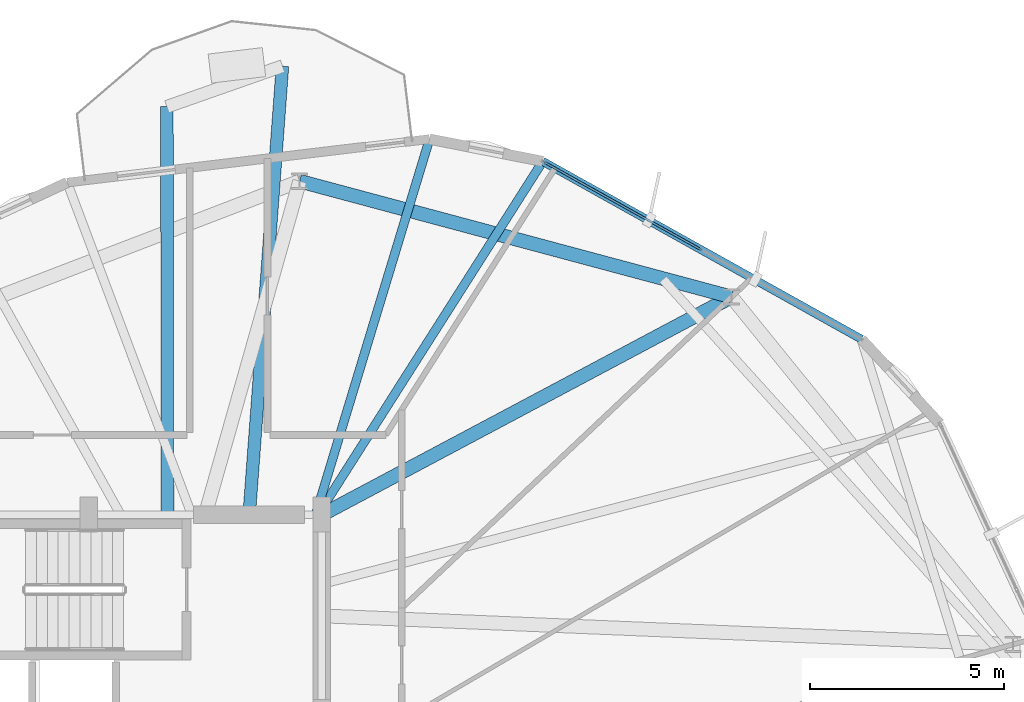
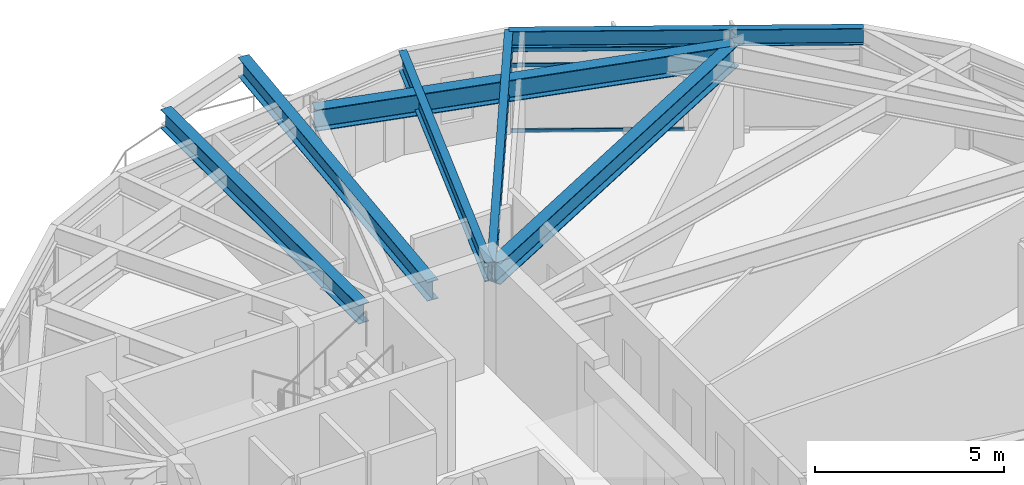
# One storey, part 14 of 25: 7 beams, 3 members, 1 element without a shape of its own.
"""IFC4 building model written with IfcOpenShell, lengths in metres."""

from ifc_helpers import new_model, si_unit, direction, frame, origin, origin_2d, place, context, subcontext, project, spatial, hollow_rectangle, i_section, extrude, material, layer, layer_set, material_profile, profile_set, type_object, element, aggregate, save


model = new_model("IFC4")

# Units and contexts
model_context = context("Model", 3, precision=1e-05, world=origin(), true_north=direction((0.0, 1.0)))
body_context = subcontext(model_context, "Body", "Model", "MODEL_VIEW")
ifc_project = project(units=[si_unit("LENGTHUNIT", "METRE"), si_unit("AREAUNIT", "SQUARE_METRE"), si_unit("VOLUMEUNIT", "CUBIC_METRE"), si_unit("PLANEANGLEUNIT", "RADIAN"), si_unit("MASSUNIT", "GRAM", prefix="KILO")], contexts=[model_context])

# Site, building, storey
site_placement = place(None, origin())
site = spatial("IfcSite", under=ifc_project, at=site_placement, CompositionType="ELEMENT")
building_placement = place(site_placement, origin())
building = spatial("IfcBuilding", under=site, at=building_placement, Name="Soratama Intermodal Tower", CompositionType="ELEMENT")
storey_placement = place(building_placement, frame((0.0, 0.0, 190.60009765625)))
storey = spatial("IfcBuildingStorey", under=building, at=storey_placement, Name="L47", CompositionType="ELEMENT", Elevation=190.60009765625)

# Beams
ifc_material_1 = material(Name="Structural steel ASTM A992 Grade 50", Category="steel")
ifc_material_profile_1 = material_profile(ifc_material_1, i_section(OverallWidth=0.324951171875, OverallDepth=0.615966796875, WebThickness=0.013916015625, FlangeThickness=0.021484375, FilletRadius=0.013916015625, at=origin_2d()), Name="W24X117")
ifc_profile_set_1 = profile_set([ifc_material_profile_1], Name="Structural steel ASTM A992 Grade 50")
beam_type_1 = type_object("IfcBeamType", Name="BM-CANT-W24X117", PredefinedType="BEAM", material=ifc_profile_set_1)
beam_1_placement = place(storey_placement, frame((42.73291015625, 35.0400390625, 2.991943359375), z_axis=(0.073934111903, 0.997263128315, 0.0), x_axis=(-0.997263128315, 0.073934111903, 0.0)))
element("IfcBeam", 1, at=beam_1_placement, inside=storey, type_object=beam_type_1, Name="BM-L47-CANT-2-1", PredefinedType="BEAM", context=body_context, shape_type="SweptSolid", body=[
    extrude(i_section(OverallWidth=0.324951171875, OverallDepth=0.615966796875, WebThickness=0.013916015625, FlangeThickness=0.021484375, FilletRadius=0.013916015625, at=origin_2d()), origin(), (0.0, 0.0, 1.0), 11.5244140625),
])
beam_2_placement = place(storey_placement, frame((40.62890625, 35.0400390625, 2.991943359375), z_axis=(-0.001425265498, 0.999998984309, 0.0), x_axis=(-0.999998984309, -0.001425265498, 0.0)))
element("IfcBeam", 2, at=beam_2_placement, inside=storey, type_object=beam_type_1, Name="BM-L47-CANT-2-2", PredefinedType="BEAM", context=body_context, shape_type="SweptSolid", body=[
    extrude(i_section(OverallWidth=0.324951171875, OverallDepth=0.615966796875, WebThickness=0.013916015625, FlangeThickness=0.021484375, FilletRadius=0.013916015625, at=origin_2d()), origin(), (0.0, 0.0, 1.0), 10.448974609375),
])
ifc_material_2 = material(Name="Structural steel ASTM A992 Grade 50", Category="steel")
ifc_material_profile_2 = material_profile(ifc_material_2, i_section(OverallWidth=0.35498046875, OverallDepth=0.695068359375, WebThickness=0.015380859375, FlangeThickness=0.02490234375, FilletRadius=0.01611328125, at=origin_2d()), Name="W27X146")
ifc_profile_set_2 = profile_set([ifc_material_profile_2], Name="Structural steel ASTM A992 Grade 50")
beam_type_2 = type_object("IfcBeamType", Name="BM-RING-W27X146", PredefinedType="BEAM", material=ifc_profile_set_2)
beam_3_placement = place(storey_placement, frame((55.1298828125, 40.59912109375, 2.952392578125), z_axis=(-0.965907374298, 0.258887899055, 0.0), x_axis=(-0.258887899055, -0.965907374298, 0.0)))
element("IfcBeam", 3, at=beam_3_placement, inside=storey, type_object=beam_type_2, Name="BM-L47-RING-02", PredefinedType="BEAM", context=body_context, shape_type="SweptSolid", body=[
    extrude(i_section(OverallWidth=0.35498046875, OverallDepth=0.695068359375, WebThickness=0.015380859375, FlangeThickness=0.02490234375, FilletRadius=0.01611328125, at=origin_2d()), origin(), (0.0, 0.0, 1.0), 11.49462890625),
])
beam_4_placement = place(storey_placement, frame((44.60009765625, 35.0, 2.952392578125), z_axis=(0.882935948236, 0.469493462482, 0.0), x_axis=(-0.469493462482, 0.882935948236, 0.0)))
element("IfcBeam", 4, at=beam_4_placement, inside=storey, type_object=beam_type_2, Name="BM-L47-RAD-02", PredefinedType="BEAM", context=body_context, shape_type="SweptSolid", body=[
    extrude(i_section(OverallWidth=0.35498046875, OverallDepth=0.695068359375, WebThickness=0.015380859375, FlangeThickness=0.02490234375, FilletRadius=0.01611328125, at=origin_2d()), origin(), (0.0, 0.0, 1.0), 11.92578125),
])
ifc_material_3 = material(Name="Structural steel ASTM A992 Grade 50", Category="steel")
ifc_material_profile_3 = material_profile(ifc_material_3, i_section(OverallWidth=0.2099609375, OverallDepth=0.537109375, WebThickness=0.010986328125, FlangeThickness=0.017333984375, FilletRadius=0.012939453125, at=origin_2d()), Name="W21X68")
ifc_profile_set_3 = profile_set([ifc_material_profile_3], Name="Structural steel ASTM A992 Grade 50")
beam_type_3 = type_object("IfcBeamType", Name="BM-SPN-W21X68", PredefinedType="SPANDREL", material=ifc_profile_set_3)
beam_5_placement = place(storey_placement, frame((58.469970703125, 39.513916015625, 3.031494140625), z_axis=(-0.873275727261, 0.487226337729, 0.0), x_axis=(-0.487226337729, -0.873275727261, 0.0)))
element("IfcBeam", 5, at=beam_5_placement, inside=storey, type_object=beam_type_3, Name="BS-L47-F01", PredefinedType="SPANDREL", context=body_context, shape_type="SweptSolid", body=[
    extrude(i_section(OverallWidth=0.2099609375, OverallDepth=0.537109375, WebThickness=0.010986328125, FlangeThickness=0.017333984375, FilletRadius=0.012939453125, at=origin_2d()), origin(), (0.0, 0.0, 1.0), 9.3818359375),
])
ifc_material_4 = material(Name="Structural steel ASTM A992 Grade 50", Category="steel")
ifc_material_profile_4 = material_profile(ifc_material_4, i_section(OverallWidth=0.22900390625, OverallDepth=0.612060546875, WebThickness=0.011962890625, FlangeThickness=0.01953125, FilletRadius=0.012939453125, at=origin_2d()), Name="W24X84")
ifc_profile_set_4 = profile_set([ifc_material_profile_4], Name="Structural steel ASTM A992 Grade 50")
beam_type_4 = type_object("IfcBeamType", Name="BM-TIE-W24X84", PredefinedType="BEAM", material=ifc_profile_set_4)
beam_6_placement = place(storey_placement, frame((44.52001953125, 35.033935546875, 2.993896484375), z_axis=(0.53669875729, 0.843773929393, 0.0), x_axis=(-0.843773929393, 0.53669875729, 0.0)))
element("IfcBeam", 6, at=beam_6_placement, inside=storey, type_object=beam_type_4, Name="BM-L47-TIE1-01", PredefinedType="BEAM", context=body_context, shape_type="SweptSolid", body=[
    extrude(i_section(OverallWidth=0.22900390625, OverallDepth=0.612060546875, WebThickness=0.011962890625, FlangeThickness=0.01953125, FilletRadius=0.012939453125, at=origin_2d()), origin(), (0.0, 0.0, 1.0), 10.726806640625),
])
beam_7_placement = place(storey_placement, frame((44.449951171875, 35.0380859375, 2.993896484375), z_axis=(0.290124658741, 0.956988862208, 0.0), x_axis=(-0.956988862208, 0.290124658741, 0.0)))
element("IfcBeam", 7, at=beam_7_placement, inside=storey, type_object=beam_type_4, Name="BM-L47-TIE0-02", PredefinedType="BEAM", context=body_context, shape_type="SweptSolid", body=[
    extrude(i_section(OverallWidth=0.22900390625, OverallDepth=0.612060546875, WebThickness=0.011962890625, FlangeThickness=0.01953125, FilletRadius=0.012939453125, at=origin_2d()), origin(), (0.0, 0.0, 1.0), 10.05419921875),
])

# Curtain wall, members
ifc_material_5 = material(Name="Double-glazed aluminium curtain wall", Category="aluminium")
ifc_layer = layer(ifc_material_5, 0.159912109375)
ifc_layer_set = layer_set([ifc_layer], Name="Double-glazed aluminium curtain wall")
curtain_wall_type = type_object("IfcCurtainWallType", Name="CW-SYS-5", PredefinedType="NOTDEFINED", material=ifc_layer_set)
curtain_wall_placement = place(storey_placement, origin())
curtain_wall = element("IfcCurtainWall", 8, at=curtain_wall_placement, inside=storey, type_object=curtain_wall_type, Name="L47 Faceted Curtain Wall F01", PredefinedType="NOTDEFINED")
ifc_material_6 = material(Name="Anodised aluminium AA 6063-T6", Category="aluminium")
ifc_material_profile_5 = material_profile(ifc_material_6, hollow_rectangle(XDim=0.06005859375, YDim=0.1298828125, WallThickness=0.0048828125, InnerFilletRadius=0.0048828125, OuterFilletRadius=0.010009765625, at=origin_2d()), Name="CWT130X60X5")
ifc_profile_set_5 = profile_set([ifc_material_profile_5], Name="Anodised aluminium AA 6063-T6")
member_type = type_object("IfcMemberType", Name="TT-CWT-2", PredefinedType="USERDEFINED", material=ifc_profile_set_5)
member_1_placement = place(storey_placement, frame((54.347412109375, 41.814208984375, 0.02978515625), z_axis=(-0.873262285383, 0.487250429376, 0.0), x_axis=(-0.487250429376, -0.873262285383, 0.0)))
member_1 = element("IfcMember", 9, at=member_1_placement, type_object=member_type, Name="CW-5 transom 2.1", ObjectType="TRANSOM", PredefinedType="USERDEFINED", context=body_context, shape_type="SweptSolid", body=[
    extrude(hollow_rectangle(XDim=0.06005859375, YDim=0.1298828125, WallThickness=0.0048828125, InnerFilletRadius=0.0048828125, OuterFilletRadius=0.010009765625, at=origin_2d()), origin(), (0.0, 0.0, 1.0), 4.601318359375),
])
member_2_placement = place(storey_placement, frame((54.347412109375, 41.814208984375, 2.14990234375), z_axis=(-0.873262285383, 0.487250429376, 0.0), x_axis=(-0.487250429376, -0.873262285383, 0.0)))
member_2 = element("IfcMember", 10, at=member_2_placement, type_object=member_type, Name="CW-5 transom 2.2", ObjectType="TRANSOM", PredefinedType="USERDEFINED", context=body_context, shape_type="SweptSolid", body=[
    extrude(hollow_rectangle(XDim=0.06005859375, YDim=0.1298828125, WallThickness=0.0048828125, InnerFilletRadius=0.0048828125, OuterFilletRadius=0.010009765625, at=origin_2d()), origin(), (0.0, 0.0, 1.0), 4.601318359375),
])
member_3_placement = place(storey_placement, frame((54.347412109375, 41.814208984375, 2.64892578125), z_axis=(-0.873262285383, 0.487250429376, 0.0), x_axis=(-0.487250429376, -0.873262285383, 0.0)))
member_3 = element("IfcMember", 11, at=member_3_placement, type_object=member_type, Name="CW-5 transom 2.3", ObjectType="TRANSOM", PredefinedType="USERDEFINED", context=body_context, shape_type="SweptSolid", body=[
    extrude(hollow_rectangle(XDim=0.06005859375, YDim=0.1298828125, WallThickness=0.0048828125, InnerFilletRadius=0.0048828125, OuterFilletRadius=0.010009765625, at=origin_2d()), origin(), (0.0, 0.0, 1.0), 4.601318359375),
])
aggregate(curtain_wall, [member_1, member_2, member_3])

save(model, "model.ifc")
